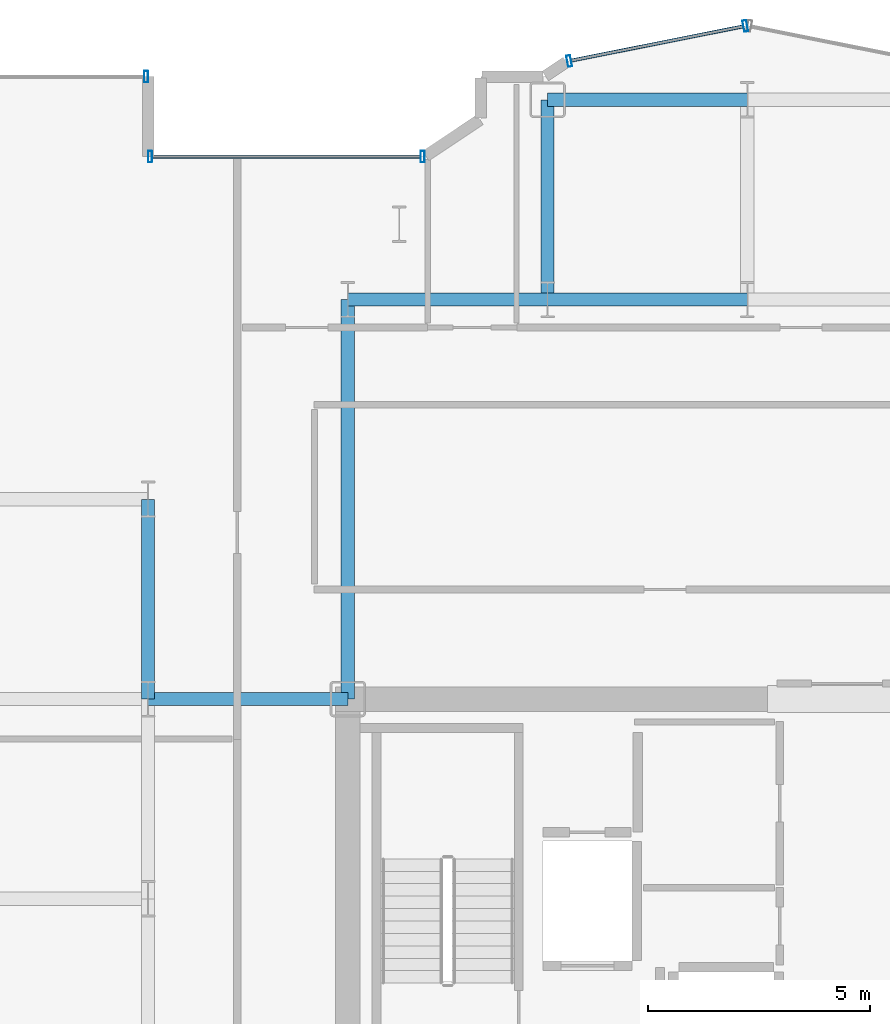
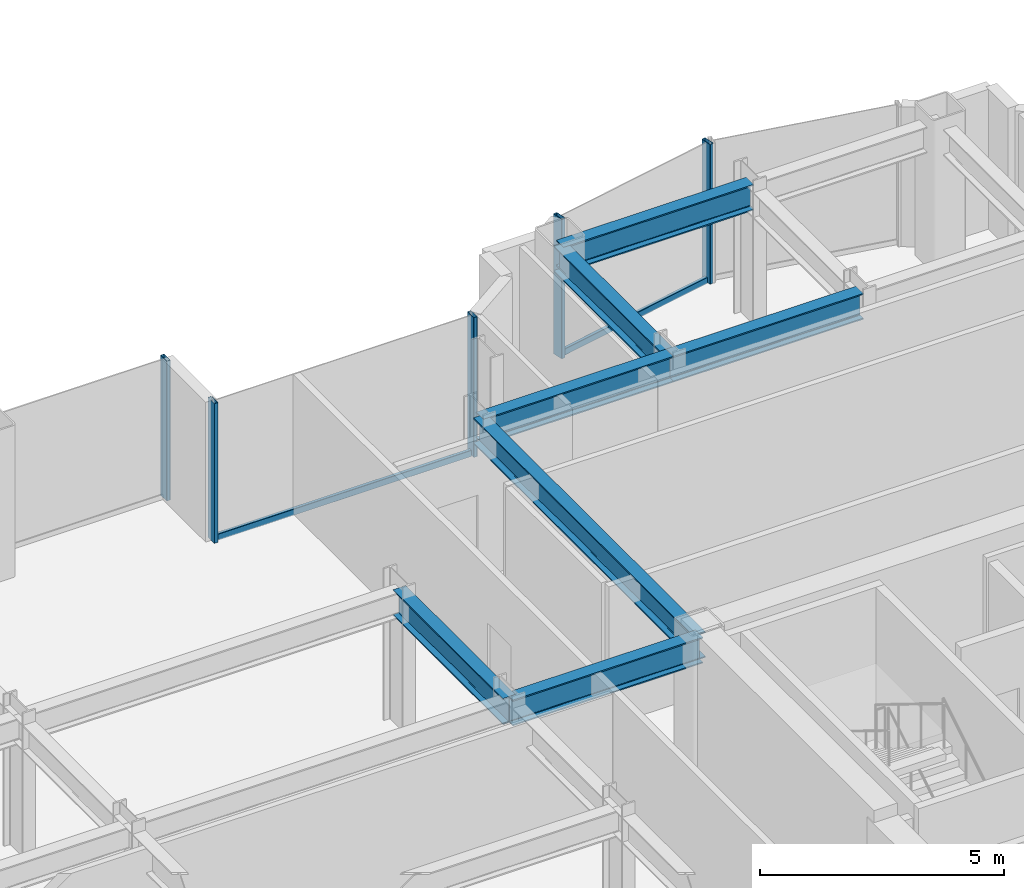
# One storey, part 11 of 23: 7 beams, 7 members, 3 elements without a shape of their own.
"""IFC4 building model written with IfcOpenShell, lengths in metres."""

from ifc_helpers import new_model, si_unit, direction, frame, origin, origin_2d, place, context, subcontext, project, spatial, hollow_rectangle, i_section, extrude, source, transform, mapped, material, layer, layer_set, material_profile, profile_set, type_object, element, aggregate, save


model = new_model("IFC4")

# Units and contexts
model_context = context("Model", 3, precision=1e-05, world=origin(), true_north=direction((0.0, 1.0)))
body_context = subcontext(model_context, "Body", "Model", "MODEL_VIEW")
ifc_project = project(units=[si_unit("LENGTHUNIT", "METRE"), si_unit("AREAUNIT", "SQUARE_METRE"), si_unit("VOLUMEUNIT", "CUBIC_METRE"), si_unit("PLANEANGLEUNIT", "RADIAN"), si_unit("MASSUNIT", "GRAM", prefix="KILO")], contexts=[model_context])

# Site, building, storey
site_placement = place(None, origin())
site = spatial("IfcSite", under=ifc_project, at=site_placement, CompositionType="ELEMENT")
building_placement = place(site_placement, origin())
building = spatial("IfcBuilding", under=site, at=building_placement, Name="Nefas-Gora Pilgrimage Tower", CompositionType="ELEMENT")
storey_placement = place(building_placement, frame((0.0, 0.0, 198.199951171875)))
storey = spatial("IfcBuildingStorey", under=building, at=storey_placement, Name="L49", CompositionType="ELEMENT", Elevation=198.199951171875)

# Beams
ifc_material_1 = material(Name="Steel S355", Category="steel")
ifc_material_profile_1 = material_profile(ifc_material_1, i_section(OverallWidth=0.300048828125, OverallDepth=0.64990234375, WebThickness=0.01611328125, FlangeThickness=0.031005859375, FilletRadius=0.027099609375, at=origin_2d()), Name="HEB 650")
ifc_profile_set_1 = profile_set([ifc_material_profile_1], Name="Steel S355")
beam_type = type_object("IfcBeamType", Name="BM-GIR-HEB650", PredefinedType="BEAM", material=ifc_profile_set_1)
shared_shape_1 = source(origin(), body_context, "Body", "SweptSolid", [
    extrude(i_section(OverallWidth=0.300048828125, OverallDepth=0.64990234375, WebThickness=0.01611328125, FlangeThickness=0.031005859375, FilletRadius=0.027099609375, at=origin_2d()), origin(), (0.0, 0.0, 1.0), 9.0),
])
beam_placement = place(storey_placement, frame((-11.25, 9.0, 3.175048828125), z_axis=(0.0, 1.0, 0.0), x_axis=(-1.0, 0.0, 0.0)))
element("IfcBeam", 1, at=beam_placement, inside=storey, type_object=beam_type, Name="L49 G-03 beam", PredefinedType="BEAM", context=body_context, shape_type="MappedRepresentation", body=[
    mapped(shared_shape_1, transform((0.0, 0.0, 0.0), x_axis=(1.0, 0.0, 0.0), y_axis=(0.0, 1.0, 0.0), z_axis=(0.0, 0.0, 1.0), scale=1.0)),
])
shared_shape_2 = source(origin(), body_context, "Body", "SweptSolid", [
    extrude(i_section(OverallWidth=0.300048828125, OverallDepth=0.64990234375, WebThickness=0.01611328125, FlangeThickness=0.031005859375, FilletRadius=0.027099609375, at=origin_2d()), origin(), (0.0, 0.0, 1.0), 4.5),
])
for number, where, z_axis, x_axis, name in (
    (2, (-15.75, 9.0, 3.175048828125), (0.0, 1.0, 0.0), (-1.0, 0.0, 0.0), "L49 G-03 beam"),
    (3, (-15.75, 9.0, 3.175048828125), (1.0, 0.0, 0.0), (0.0, 1.0, 0.0), "L49 G-03 beam"),
    (4, (-11.25, 18.0, 3.175048828125), (1.0, 0.0, 0.0), (0.0, 1.0, 0.0), "L49 G-03 beam"),
    (5, (-6.75, 18.0, 3.175048828125), (0.0, 1.0, 0.0), (-1.0, 0.0, 0.0), "L49 G-03 beam"),
    (6, (-6.75, 18.0, 3.175048828125), (1.0, 0.0, 0.0), (0.0, 1.0, 0.0), "L49 G-03 beam"),
    (7, (-6.75, 22.5, 3.175048828125), (1.0, 0.0, 0.0), (0.0, 1.0, 0.0), "L49 G-03 beam"),
):
    element("IfcBeam", number, at=place(storey_placement, frame(where, z_axis=z_axis, x_axis=x_axis)), inside=storey, type_object=beam_type, Name=name, PredefinedType="BEAM", context=body_context, shape_type="MappedRepresentation", body=[
        mapped(shared_shape_2, transform((0.0, 0.0, 0.0), x_axis=(1.0, 0.0, 0.0), y_axis=(0.0, 1.0, 0.0), z_axis=(0.0, 0.0, 1.0), scale=1.0)),
    ])

# Curtain wall, member
ifc_material_2 = material(Name="Dark ceramic-fritted solar-control aluminium-glass curtain wall", Category="aluminium")
ifc_layer_1 = layer(ifc_material_2, 0.219970703125)
ifc_layer_set_1 = layer_set([ifc_layer_1], Name="Dark ceramic-fritted solar-control aluminium-glass curtain wall")
curtain_wall_type_1 = type_object("IfcCurtainWallType", Name="CW-SYS-5", PredefinedType="NOTDEFINED", material=ifc_layer_set_1)
curtain_wall_1_placement = place(storey_placement, origin())
curtain_wall_1 = element("IfcCurtainWall", 8, at=curtain_wall_1_placement, inside=storey, type_object=curtain_wall_type_1, Name="L49 Unitised Curtain Wall CW5", PredefinedType="NOTDEFINED")
ifc_material_3 = material(Name="Anodised architectural aluminium", Category="aluminium")
ifc_material_profile_2 = material_profile(ifc_material_3, hollow_rectangle(XDim=0.080078125, YDim=0.159912109375, WallThickness=0.00439453125, InnerFilletRadius=0.00439453125, OuterFilletRadius=0.009033203125, at=origin_2d()), Name="ALU TRANSOM 80x160")
ifc_profile_set_2 = profile_set([ifc_material_profile_2], Name="Anodised architectural aluminium")
member_type_1 = type_object("IfcMemberType", Name="CWM-TRN-5", PredefinedType="USERDEFINED", material=ifc_profile_set_2)
shared_shape_3 = source(origin(), body_context, "Body", "SweptSolid", [
    extrude(hollow_rectangle(XDim=0.080078125, YDim=0.159912109375, WallThickness=0.00439453125, InnerFilletRadius=0.00439453125, OuterFilletRadius=0.009033203125, at=origin_2d()), origin(), (0.0, 0.0, 1.0), 6.052001953125),
])
member_1_placement = place(storey_placement, frame((-9.60791015625, 21.219970703125, 0.050048828125), z_axis=(-1.0, 0.0, 0.0), x_axis=(0.0, -1.0, 0.0)))
member_1 = element("IfcMember", 9, at=member_1_placement, type_object=member_type_1, Name="CW5 Spandrel Transom", ObjectType="TRANSOM", PredefinedType="USERDEFINED", context=body_context, shape_type="MappedRepresentation", body=[
    mapped(shared_shape_3, transform((0.0, 0.0, 0.0), x_axis=(1.0, 0.0, 0.0), y_axis=(0.0, 1.0, 0.0), z_axis=(0.0, 0.0, 1.0), scale=1.0)),
])

# Curtain wall, members
curtain_wall_2_placement = place(storey_placement, origin())
curtain_wall_2 = element("IfcCurtainWall", 10, at=curtain_wall_2_placement, inside=storey, type_object=curtain_wall_type_1, Name="L49 Unitised Curtain Wall CW5", PredefinedType="NOTDEFINED")
shared_shape_4 = source(origin(), body_context, "Body", "SweptSolid", [
    extrude(hollow_rectangle(XDim=0.080078125, YDim=0.159912109375, WallThickness=0.00439453125, InnerFilletRadius=0.00439453125, OuterFilletRadius=0.009033203125, at=origin_2d()), origin(), (0.0, 0.0, 1.0), 3.95654296875),
])
member_2_placement = place(storey_placement, frame((-2.33837890625, 24.15478515625, 0.050048828125), z_axis=(-0.980781880918, -0.195107411605, 0.0), x_axis=(0.195107411605, -0.980781880918, 0.0)))
member_2 = element("IfcMember", 11, at=member_2_placement, type_object=member_type_1, Name="CW5 Spandrel Transom", ObjectType="TRANSOM", PredefinedType="USERDEFINED", context=body_context, shape_type="MappedRepresentation", body=[
    mapped(shared_shape_4, transform((0.0, 0.0, 0.0), x_axis=(1.0, 0.0, 0.0), y_axis=(0.0, 1.0, 0.0), z_axis=(0.0, 0.0, 1.0), scale=1.0)),
])
ifc_material_profile_3 = material_profile(ifc_material_3, hollow_rectangle(XDim=0.090087890625, YDim=0.260009765625, WallThickness=0.006103515625, InnerFilletRadius=0.006103515625, OuterFilletRadius=0.011962890625, at=origin_2d()), Name="ALU MULLION 90x260")
ifc_profile_set_3 = profile_set([ifc_material_profile_3], Name="Anodised architectural aluminium")
member_type_2 = type_object("IfcMemberType", Name="CWM-MUL-5", PredefinedType="MULLION", material=ifc_profile_set_3)
shared_shape_5 = source(origin(), body_context, "Body", "SweptSolid", [
    extrude(hollow_rectangle(XDim=0.090087890625, YDim=0.260009765625, WallThickness=0.006103515625, InnerFilletRadius=0.006103515625, OuterFilletRadius=0.011962890625, at=origin_2d()), origin(), (0.0, 0.0, 1.0), 3.5),
])
member_3_placement = place(storey_placement, frame((-2.294189453125, 24.16357421875, 0.0), z_axis=(0.0, 0.0, 1.0), x_axis=(-0.980782896852, -0.195102304554, 0.0)))
member_3 = element("IfcMember", 12, at=member_3_placement, type_object=member_type_2, Name="CW5 Mullion 1", PredefinedType="MULLION", context=body_context, shape_type="MappedRepresentation", body=[
    mapped(shared_shape_5, transform((0.0, 0.0, 0.0), x_axis=(1.0, 0.0, 0.0), y_axis=(0.0, 1.0, 0.0), z_axis=(0.0, 0.0, 1.0), scale=1.0)),
])
member_4_placement = place(storey_placement, frame((-6.26318359375, 23.3740234375, 0.0), z_axis=(0.0, 0.0, 1.0), x_axis=(-0.980782896852, -0.195102304554, 0.0)))
member_4 = element("IfcMember", 13, at=member_4_placement, type_object=member_type_2, Name="CW5 Mullion 2", PredefinedType="MULLION", context=body_context, shape_type="MappedRepresentation", body=[
    mapped(shared_shape_5, transform((0.0, 0.0, 0.0), x_axis=(1.0, 0.0, 0.0), y_axis=(0.0, 1.0, 0.0), z_axis=(0.0, 0.0, 1.0), scale=1.0)),
])
aggregate(curtain_wall_2, [member_3, member_4, member_2])

# Member
member_5_placement = place(storey_placement, frame((-9.56298828125, 21.219970703125, 0.0), z_axis=(0.0, 0.0, 1.0), x_axis=(-1.0, 0.0, 0.0)))
member_5 = element("IfcMember", 14, at=member_5_placement, type_object=member_type_2, Name="CW5 Mullion 1", PredefinedType="MULLION", context=body_context, shape_type="MappedRepresentation", body=[
    mapped(shared_shape_5, transform((0.0, 0.0, 0.0), x_axis=(1.0, 0.0, 0.0), y_axis=(0.0, 1.0, 0.0), z_axis=(0.0, 0.0, 1.0), scale=1.0)),
])

member_6_placement = place(storey_placement, frame((-15.705078125, 21.219970703125, 0.0), z_axis=(0.0, 0.0, 1.0), x_axis=(-1.0, 0.0, 0.0)))
member_6 = element("IfcMember", 15, at=member_6_placement, type_object=member_type_2, Name="CW5 Mullion 2", PredefinedType="MULLION", context=body_context, shape_type="MappedRepresentation", body=[
    mapped(shared_shape_5, transform((0.0, 0.0, 0.0), x_axis=(1.0, 0.0, 0.0), y_axis=(0.0, 1.0, 0.0), z_axis=(0.0, 0.0, 1.0), scale=1.0)),
])

aggregate(curtain_wall_1, [member_5, member_6, member_1])

# Curtain wall, member
ifc_layer_2 = layer(ifc_material_2, 0.219970703125)
ifc_layer_set_2 = layer_set([ifc_layer_2], Name="Dark ceramic-fritted solar-control aluminium-glass curtain wall")
curtain_wall_type_2 = type_object("IfcCurtainWallType", Name="CW-SYS-3", PredefinedType="NOTDEFINED", material=ifc_layer_set_2)
curtain_wall_3_placement = place(storey_placement, origin())
curtain_wall_3 = element("IfcCurtainWall", 16, at=curtain_wall_3_placement, inside=storey, type_object=curtain_wall_type_2, Name="L49 Unitised Curtain Wall CW3", PredefinedType="NOTDEFINED")
ifc_material_profile_4 = material_profile(ifc_material_3, hollow_rectangle(XDim=0.090087890625, YDim=0.260009765625, WallThickness=0.006103515625, InnerFilletRadius=0.006103515625, OuterFilletRadius=0.011962890625, at=origin_2d()), Name="ALU MULLION 90x260")
ifc_profile_set_4 = profile_set([ifc_material_profile_4], Name="Anodised architectural aluminium")
member_type_3 = type_object("IfcMemberType", Name="CWM-MUL-3", PredefinedType="MULLION", material=ifc_profile_set_4)
shared_shape_6 = source(origin(), body_context, "Body", "SweptSolid", [
    extrude(hollow_rectangle(XDim=0.090087890625, YDim=0.260009765625, WallThickness=0.006103515625, InnerFilletRadius=0.006103515625, OuterFilletRadius=0.011962890625, at=origin_2d()), origin(), (0.0, 0.0, 1.0), 3.5),
])
member_7_placement = place(storey_placement, frame((-15.794921875, 23.02001953125, 0.0), z_axis=(0.0, 0.0, 1.0), x_axis=(-1.0, 0.0, 0.0)))
member_7 = element("IfcMember", 17, at=member_7_placement, type_object=member_type_3, Name="CW3 Mullion 1", PredefinedType="MULLION", context=body_context, shape_type="MappedRepresentation", body=[
    mapped(shared_shape_6, transform((0.0, 0.0, 0.0), x_axis=(1.0, 0.0, 0.0), y_axis=(0.0, 1.0, 0.0), z_axis=(0.0, 0.0, 1.0), scale=1.0)),
])
aggregate(curtain_wall_3, [member_7])

save(model, "model.ifc")
